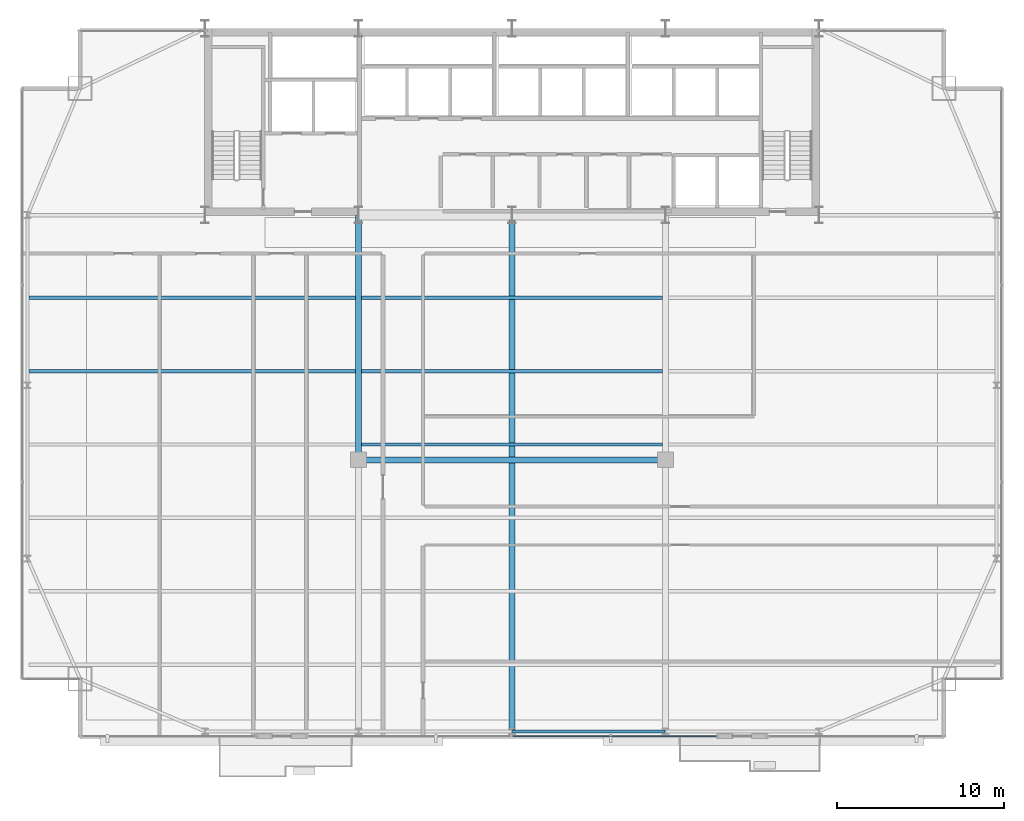
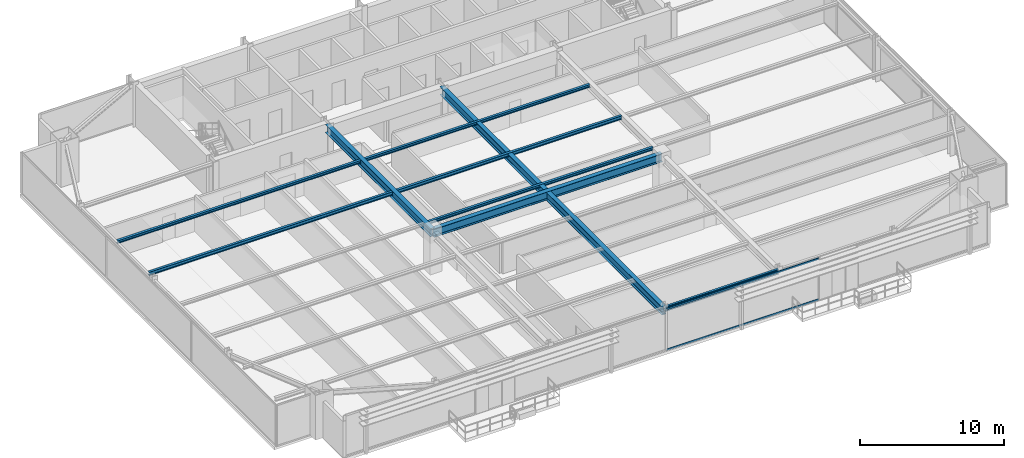
# One storey, part 11 of 31: 9 beams, 2 members, 1 element without a shape of its own.
"""IFC4 building model written with IfcOpenShell, lengths in metres."""

from ifc_helpers import new_model, si_unit, direction, frame, origin, origin_2d, place, context, subcontext, project, spatial, hollow_rectangle, i_section, extrude, source, transform, mapped, material, layer, layer_set, material_profile, profile_set, type_object, type_shapes, element, aggregate, save


model = new_model("IFC4")

# Units and contexts
model_context = context("Model", 3, precision=1e-05, world=origin(), true_north=direction((0.0, 1.0)))
body_context = subcontext(model_context, "Body", "Model", "MODEL_VIEW")
ifc_project = project(units=[si_unit("LENGTHUNIT", "METRE"), si_unit("AREAUNIT", "SQUARE_METRE"), si_unit("VOLUMEUNIT", "CUBIC_METRE"), si_unit("PLANEANGLEUNIT", "RADIAN"), si_unit("MASSUNIT", "GRAM", prefix="KILO")], contexts=[model_context])

# Site, building, storey
site_placement = place(None, origin())
site = spatial("IfcSite", under=ifc_project, at=site_placement, CompositionType="ELEMENT")
building_placement = place(site_placement, origin())
building = spatial("IfcBuilding", under=site, at=building_placement, Name="Varnel Quay Broadcast Tower", CompositionType="ELEMENT")
storey_placement = place(building_placement, frame((0.0, 0.0, 94.60009765625)))
storey = spatial("IfcBuildingStorey", under=building, at=storey_placement, Name="L22", CompositionType="ELEMENT", Elevation=94.60009765625)

# Beams
ifc_material_1 = material(Name="Structural Steel CSA G40.21 350W", Category="steel")
ifc_material_profile_1 = material_profile(ifc_material_1, i_section(OverallWidth=0.180908203125, OverallDepth=0.4169921875, WebThickness=0.010986328125, FlangeThickness=0.018310546875, FilletRadius=0.011962890625, at=origin_2d()), Name="W410X85")
ifc_profile_set_1 = profile_set([ifc_material_profile_1], Name="Structural Steel CSA G40.21 350W")
beam_type_1 = type_object("IfcBeamType", Name="Beam_W410X85", PredefinedType="SPANDREL", material=ifc_profile_set_1)
shared_shape_1 = source(origin(), body_context, "Body", "SweptSolid", [
    extrude(i_section(OverallWidth=0.180908203125, OverallDepth=0.4169921875, WebThickness=0.010986328125, FlangeThickness=0.018310546875, FilletRadius=0.011962890625, at=origin_2d()), origin(), (0.0, 0.0, 1.0), 9.159912109375),
])
type_shapes(beam_type_1, [shared_shape_1])
beam_1_placement = place(storey_placement, frame((34.02001953125, 4.64990234375, 3.3115234375), z_axis=(1.0, 0.0, 0.0), x_axis=(0.0, 1.0, 0.0)))
element("IfcBeam", 1, at=beam_1_placement, inside=storey, type_object=beam_type_1, Name="L22 South Spandrel TC-S3-TC-S4", PredefinedType="SPANDREL", context=body_context, shape_type="MappedRepresentation", body=[
    mapped(shared_shape_1, transform((0.0, 0.0, 0.0), x_axis=(1.0, 0.0, 0.0), y_axis=(0.0, 1.0, 0.0), z_axis=(0.0, 0.0, 1.0), scale=1.0)),
])
ifc_material_profile_2 = material_profile(ifc_material_1, i_section(OverallWidth=0.35498046875, OverallDepth=0.695068359375, WebThickness=0.015380859375, FlangeThickness=0.02490234375, FilletRadius=0.01806640625, at=origin_2d()), Name="W690X217")
ifc_profile_set_2 = profile_set([ifc_material_profile_2], Name="Structural Steel CSA G40.21 350W")
beam_type_2 = type_object("IfcBeamType", Name="Girder_W690X217", PredefinedType="BEAM", material=ifc_profile_set_2)
shared_shape_2 = source(origin(), body_context, "Body", "SweptSolid", [
    extrude(i_section(OverallWidth=0.35498046875, OverallDepth=0.695068359375, WebThickness=0.015380859375, FlangeThickness=0.02490234375, FilletRadius=0.01806640625, at=origin_2d()), origin(), (0.0, 0.0, 1.0), 14.630126953125),
])
beam_2_placement = place(storey_placement, frame((24.800048828125, 20.949951171875, 3.17236328125), z_axis=(0.0, 1.0, 0.0), x_axis=(-1.0, 0.0, 0.0)))
element("IfcBeam", 2, at=beam_2_placement, inside=storey, type_object=beam_type_2, Name="L22 Primary Girder IC-01-CC-S2", PredefinedType="BEAM", context=body_context, shape_type="MappedRepresentation", body=[
    mapped(shared_shape_2, transform((0.0, 0.0, 0.0), x_axis=(1.0, 0.0, 0.0), y_axis=(0.0, 1.0, 0.0), z_axis=(0.0, 0.0, 1.0), scale=1.0)),
])
shared_shape_3 = source(origin(), body_context, "Body", "SweptSolid", [
    extrude(i_section(OverallWidth=0.35498046875, OverallDepth=0.695068359375, WebThickness=0.015380859375, FlangeThickness=0.02490234375, FilletRadius=0.01806640625, at=origin_2d()), origin(), (0.0, 0.0, 1.0), 18.35986328125),
])
beam_3_placement = place(storey_placement, frame((24.820068359375, 20.929931640625, 3.17236328125), z_axis=(1.0, 0.0, 0.0), x_axis=(0.0, 1.0, 0.0)))
element("IfcBeam", 3, at=beam_3_placement, inside=storey, type_object=beam_type_2, Name="L22 Interior Spine Girder", PredefinedType="BEAM", context=body_context, shape_type="MappedRepresentation", body=[
    mapped(shared_shape_3, transform((0.0, 0.0, 0.0), x_axis=(1.0, 0.0, 0.0), y_axis=(0.0, 1.0, 0.0), z_axis=(0.0, 0.0, 1.0), scale=1.0)),
])
shared_shape_4 = source(origin(), body_context, "Body", "SweptSolid", [
    extrude(i_section(OverallWidth=0.35498046875, OverallDepth=0.695068359375, WebThickness=0.015380859375, FlangeThickness=0.02490234375, FilletRadius=0.01806640625, at=origin_2d()), origin(), (0.0, 0.0, 1.0), 30.91015625),
])
type_shapes(beam_type_2, [shared_shape_2, shared_shape_3, shared_shape_4])
beam_4_placement = place(storey_placement, frame((34.0, 4.669921875, 3.17236328125), z_axis=(0.0, 1.0, 0.0), x_axis=(-1.0, 0.0, 0.0)))
element("IfcBeam", 4, at=beam_4_placement, inside=storey, type_object=beam_type_2, Name="L22 Central Bay Girder", PredefinedType="BEAM", context=body_context, shape_type="MappedRepresentation", body=[
    mapped(shared_shape_4, transform((0.0, 0.0, 0.0), x_axis=(1.0, 0.0, 0.0), y_axis=(0.0, 1.0, 0.0), z_axis=(0.0, 0.0, 1.0), scale=1.0)),
])
ifc_material_profile_3 = material_profile(ifc_material_1, i_section(OverallWidth=0.202880859375, OverallDepth=0.302978515625, WebThickness=0.007568359375, FlangeThickness=0.01318359375, FilletRadius=0.011962890625, at=origin_2d()), Name="W310X60")
ifc_profile_set_3 = profile_set([ifc_material_profile_3], Name="Structural Steel CSA G40.21 350W")
beam_type_3 = type_object("IfcBeamType", Name="Beam_W310X60", PredefinedType="JOIST", material=ifc_profile_set_3)
shared_shape_5 = source(origin(), body_context, "Body", "SweptSolid", [
    extrude(i_section(OverallWidth=0.202880859375, OverallDepth=0.302978515625, WebThickness=0.007568359375, FlangeThickness=0.01318359375, FilletRadius=0.011962890625, at=origin_2d()), origin(), (0.0, 0.0, 1.0), 19.592041015625),
])
beam_5_placement = place(storey_placement, frame((5.035400390625, 26.25, 3.368408203125), z_axis=(1.0, 0.0, 0.0), x_axis=(0.0, 1.0, 0.0)))
element("IfcBeam", 5, at=beam_5_placement, inside=storey, type_object=beam_type_3, Name="L22 West Floor Joist 5", PredefinedType="JOIST", context=body_context, shape_type="MappedRepresentation", body=[
    mapped(shared_shape_5, transform((0.0, 0.0, 0.0), x_axis=(1.0, 0.0, 0.0), y_axis=(0.0, 1.0, 0.0), z_axis=(0.0, 0.0, 1.0), scale=1.0)),
])
shared_shape_6 = source(origin(), body_context, "Body", "SweptSolid", [
    extrude(i_section(OverallWidth=0.202880859375, OverallDepth=0.302978515625, WebThickness=0.007568359375, FlangeThickness=0.01318359375, FilletRadius=0.011962890625, at=origin_2d()), origin(), (0.0, 0.0, 1.0), 18.05517578125),
])
type_shapes(beam_type_3, [shared_shape_5, shared_shape_6])
beam_6_placement = place(storey_placement, frame((24.972412109375, 26.25, 3.368408203125), z_axis=(1.0, 0.0, 0.0), x_axis=(0.0, 1.0, 0.0)))
element("IfcBeam", 6, at=beam_6_placement, inside=storey, type_object=beam_type_3, Name="L22 Central Floor Joist 5", PredefinedType="JOIST", context=body_context, shape_type="MappedRepresentation", body=[
    mapped(shared_shape_6, transform((0.0, 0.0, 0.0), x_axis=(1.0, 0.0, 0.0), y_axis=(0.0, 1.0, 0.0), z_axis=(0.0, 0.0, 1.0), scale=1.0)),
])
ifc_material_profile_4 = material_profile(ifc_material_1, i_section(OverallWidth=0.201904296875, OverallDepth=0.2470703125, WebThickness=0.00732421875, FlangeThickness=0.010986328125, FilletRadius=0.010986328125, at=origin_2d()), Name="W250X49")
ifc_profile_set_4 = profile_set([ifc_material_profile_4], Name="Structural Steel CSA G40.21 350W")
beam_type_4 = type_object("IfcBeamType", Name="Beam_W250X49", PredefinedType="JOIST", material=ifc_profile_set_4)
shared_shape_7 = source(origin(), body_context, "Body", "SweptSolid", [
    extrude(i_section(OverallWidth=0.201904296875, OverallDepth=0.2470703125, WebThickness=0.00732421875, FlangeThickness=0.010986328125, FilletRadius=0.010986328125, at=origin_2d()), origin(), (0.0, 0.0, 1.0), 19.592041015625),
])
beam_7_placement = place(storey_placement, frame((5.035400390625, 30.64990234375, 3.396484375), z_axis=(1.0, 0.0, 0.0), x_axis=(0.0, 1.0, 0.0)))
element("IfcBeam", 7, at=beam_7_placement, inside=storey, type_object=beam_type_4, Name="L22 West Floor Joist 6", PredefinedType="JOIST", context=body_context, shape_type="MappedRepresentation", body=[
    mapped(shared_shape_7, transform((0.0, 0.0, 0.0), x_axis=(1.0, 0.0, 0.0), y_axis=(0.0, 1.0, 0.0), z_axis=(0.0, 0.0, 1.0), scale=1.0)),
])
shared_shape_8 = source(origin(), body_context, "Body", "SweptSolid", [
    extrude(i_section(OverallWidth=0.201904296875, OverallDepth=0.2470703125, WebThickness=0.00732421875, FlangeThickness=0.010986328125, FilletRadius=0.010986328125, at=origin_2d()), origin(), (0.0, 0.0, 1.0), 18.05517578125),
])
type_shapes(beam_type_4, [shared_shape_7, shared_shape_8])
for number, where, z_axis, x_axis, name in (
    (8, (24.972412109375, 21.85009765625, 3.396484375), (1.0, 0.0, 0.0), (0.0, 1.0, 0.0), "L22 Central Floor Joist 4"),
    (9, (24.972412109375, 30.64990234375, 3.396484375), (1.0, 0.0, 0.0), (0.0, 1.0, 0.0), "L22 Central Floor Joist 6"),
):
    element("IfcBeam", number, at=place(storey_placement, frame(where, z_axis=z_axis, x_axis=x_axis)), inside=storey, type_object=beam_type_4, Name=name, PredefinedType="JOIST", context=body_context, shape_type="MappedRepresentation", body=[
        mapped(shared_shape_8, transform((0.0, 0.0, 0.0), x_axis=(1.0, 0.0, 0.0), y_axis=(0.0, 1.0, 0.0), z_axis=(0.0, 0.0, 1.0), scale=1.0)),
    ])

# Curtain wall, members
ifc_material_2 = material(Name="Anodised Bronze Aluminium 6063-T6", Category="aluminium")
ifc_layer = layer(ifc_material_2, 0.18994140625, Name="Anodised Bronze Aluminium 6063-T6")
ifc_layer_set = layer_set([ifc_layer], Name="Anodised Bronze Aluminium 6063-T6")
curtain_wall_type = type_object("IfcCurtainWallType", Name="CW_LowerTower", PredefinedType="NOTDEFINED", material=ifc_layer_set)
curtain_wall_placement = place(storey_placement, origin())
curtain_wall = element("IfcCurtainWall", 10, at=curtain_wall_placement, inside=storey, type_object=curtain_wall_type, Name="L22 South Unitised Curtain Wall 2", PredefinedType="NOTDEFINED")
ifc_material_profile_5 = material_profile(ifc_material_2, hollow_rectangle(XDim=0.06005859375, YDim=0.14501953125, WallThickness=0.00341796875, at=origin_2d()), Name="ALU60X145X3.5")
ifc_profile_set_5 = profile_set([ifc_material_profile_5], Name="Anodised Bronze Aluminium 6063-T6")
member_type = type_object("IfcMemberType", Name="Tran_CWS-02", PredefinedType="USERDEFINED", material=ifc_profile_set_5)
shared_shape_9 = source(origin(), body_context, "Body", "SweptSolid", [
    extrude(hollow_rectangle(XDim=0.06005859375, YDim=0.14501953125, WallThickness=0.00341796875, at=origin_2d()), origin(), (0.0, 0.0, 1.0), 12.215087890625),
])
type_shapes(member_type, [shared_shape_9])
member_1_placement = place(storey_placement, frame((34.034912109375, 4.35009765625, 0.02978515625), z_axis=(1.0, 0.0, 0.0), x_axis=(0.0, 1.0, 0.0)))
member_1 = element("IfcMember", 11, at=member_1_placement, type_object=member_type, Name="CWS-02 transom 2.1", ObjectType="TRANSOM", PredefinedType="USERDEFINED", context=body_context, shape_type="MappedRepresentation", body=[
    mapped(shared_shape_9, transform((0.0, 0.0, 0.0), x_axis=(1.0, 0.0, 0.0), y_axis=(0.0, 1.0, 0.0), z_axis=(0.0, 0.0, 1.0), scale=1.0)),
])
member_2_placement = place(storey_placement, frame((34.034912109375, 4.35009765625, 3.489990234375), z_axis=(1.0, 0.0, 0.0), x_axis=(0.0, 1.0, 0.0)))
member_2 = element("IfcMember", 12, at=member_2_placement, type_object=member_type, Name="CWS-02 transom 2.2", ObjectType="TRANSOM", PredefinedType="USERDEFINED", context=body_context, shape_type="MappedRepresentation", body=[
    mapped(shared_shape_9, transform((0.0, 0.0, 0.0), x_axis=(1.0, 0.0, 0.0), y_axis=(0.0, 1.0, 0.0), z_axis=(0.0, 0.0, 1.0), scale=1.0)),
])
aggregate(curtain_wall, [member_1, member_2])

save(model, "model.ifc")
